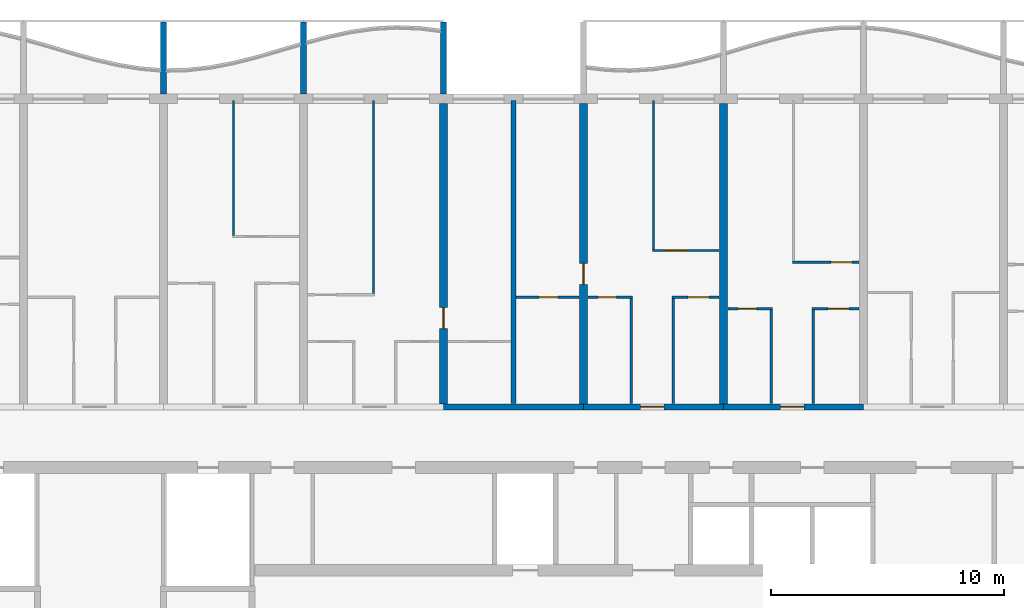
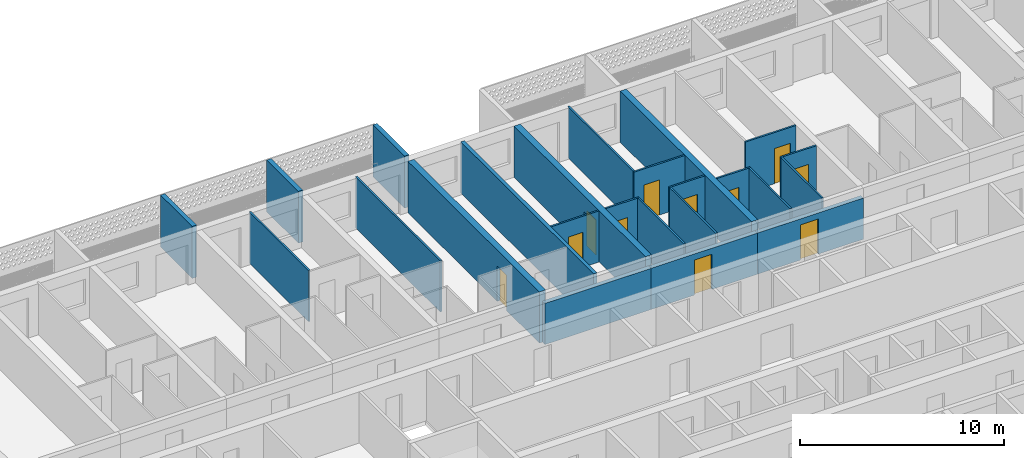
# One storey, part 10 of 24: 24 walls, 11 doors, 11 openings.
"""IFC4 building model written with IfcOpenShell, lengths in metres."""

from ifc_helpers import new_model, si_unit, direction, frame, frame_2d, origin, place, context, subcontext, project, spatial, polyline, rectangle, outline, extrude, source, transform, mapped, material, layer, layer_set, type_object, element, fill, save


model = new_model("IFC4")

# Units and contexts
model_context = context("Model", 3, precision=1e-05, world=origin(), true_north=direction((0.0, 1.0)))
body_context = subcontext(model_context, "Body", "Model", "MODEL_VIEW")
ifc_project = project(units=[si_unit("LENGTHUNIT", "METRE"), si_unit("AREAUNIT", "SQUARE_METRE"), si_unit("VOLUMEUNIT", "CUBIC_METRE"), si_unit("PLANEANGLEUNIT", "RADIAN"), si_unit("MASSUNIT", "GRAM", prefix="KILO")], contexts=[model_context])

# Site, building, storey
site_placement = place(None, origin())
site = spatial("IfcSite", under=ifc_project, at=site_placement, CompositionType="ELEMENT")
building_placement = place(site_placement, origin())
building = spatial("IfcBuilding", under=site, at=building_placement, Name="Poui Terraces", CompositionType="ELEMENT")
storey_placement = place(building_placement, frame((0.0, 0.0, 109.199951171875)))
storey = spatial("IfcBuildingStorey", under=building, at=storey_placement, Name="L30", CompositionType="ELEMENT", Elevation=109.199951171875)

# Wall
ifc_material_1 = material(Name="Concrete 65 MPa", Category="concrete")
ifc_layer_1 = layer(ifc_material_1, 0.25)
ifc_layer_set_1 = layer_set([ifc_layer_1], Name="Concrete 65 MPa")
wall_type_1 = type_object("IfcWallType", Name="CORRIDOR WALL 250 65MPa", PredefinedType="SHEAR", material=ifc_layer_set_1)
wall_1_placement = place(storey_placement, frame((42.0, 30.39990234375, 0.0), z_axis=(0.0, 0.0, 1.0), x_axis=(1.0, 0.0, 0.0)))
element("IfcWall", 1, at=wall_1_placement, inside=storey, type_object=wall_type_1, Name="CORRIDOR WALL LINE E BAY 6", PredefinedType="SHEAR", context=body_context, shape_type="SweptSolid", body=[
    extrude(rectangle(XDim=6.0, YDim=0.25, at=frame_2d((3.0, 0.0))), origin(), (0.0, 0.0, 1.0), 2.4599609375),
])

# Wall, opening, door
wall_2_placement = place(storey_placement, frame((48.0, 30.39990234375, 0.0), z_axis=(0.0, 0.0, 1.0), x_axis=(1.0, 0.0, 0.0)))
wall_2 = element("IfcWall", 2, at=wall_2_placement, inside=storey, type_object=wall_type_1, Name="CORRIDOR WALL LINE E BAY 7", PredefinedType="SHEAR", context=body_context, shape_type="SweptSolid", body=[
    extrude(rectangle(XDim=6.0, YDim=0.25, at=frame_2d((3.0, 0.0))), origin(), (0.0, 0.0, 1.0), 2.4599609375),
])
opening_1_placement = place(wall_2_placement, frame((2.449951171875, 0.0, 0.0)))
opening_1 = element("IfcOpeningElement", 3, at=opening_1_placement, cuts=wall_2, Name="Opening FD30S", PredefinedType="OPENING", context=body_context, shape_type="SweptSolid", body=[
    extrude(rectangle(XDim=1.0, YDim=2.10009765625, at=frame_2d((0.5, 1.050048828125))), frame((0.0, 0.135009765625, 0.0), z_axis=(0.0, -1.0, 0.0), x_axis=(1.0, 0.0, 0.0)), (0.0, 0.0, 1.0), 0.27001953125),
])
ifc_material_2 = material(Name="Steel fire door", Category="steel")
door_type_1 = type_object("IfcDoorType", Name="FLAT ENTRANCE DOOR 1000 X 2100", OperationType="NOTDEFINED", PredefinedType="DOOR", material=ifc_material_2)
door_1_placement = place(opening_1_placement, origin())
door_1 = element("IfcDoor", 4, at=door_1_placement, inside=storey, type_object=door_type_1, Name="FLAT ENTRANCE DOOR 051", OperationType="SINGLE_SWING_LEFT", OverallHeight=2.10009765625, OverallWidth=1.0, PredefinedType="DOOR", context=body_context, shape_type="SweptSolid", body=[
    extrude(rectangle(XDim=1.0, YDim=2.10009765625, at=frame_2d((0.5, 1.050048828125))), frame((0.0, 0.02490234375, 0.0), z_axis=(0.0, -1.0, 0.0), x_axis=(1.0, 0.0, 0.0)), (0.0, 0.0, 1.0), 0.050048828125),
])
fill(opening_1, door_1)

wall_3_placement = place(storey_placement, frame((54.0, 30.39990234375, 0.0), z_axis=(0.0, 0.0, 1.0), x_axis=(1.0, 0.0, 0.0)))
wall_3 = element("IfcWall", 5, at=wall_3_placement, inside=storey, type_object=wall_type_1, Name="CORRIDOR WALL LINE E BAY 8", PredefinedType="SHEAR", context=body_context, shape_type="SweptSolid", body=[
    extrude(rectangle(XDim=6.0, YDim=0.25, at=frame_2d((3.0, 0.0))), origin(), (0.0, 0.0, 1.0), 2.4599609375),
])
opening_2_placement = place(wall_3_placement, frame((2.449951171875, 0.0, 0.0)))
opening_2 = element("IfcOpeningElement", 6, at=opening_2_placement, cuts=wall_3, Name="Opening FD30S", PredefinedType="OPENING", context=body_context, shape_type="SweptSolid", body=[
    extrude(rectangle(XDim=1.0, YDim=2.10009765625, at=frame_2d((0.5, 1.050048828125))), frame((0.0, 0.135009765625, 0.0), z_axis=(0.0, -1.0, 0.0), x_axis=(1.0, 0.0, 0.0)), (0.0, 0.0, 1.0), 0.27001953125),
])
door_2_placement = place(opening_2_placement, origin())
door_2 = element("IfcDoor", 7, at=door_2_placement, inside=storey, type_object=door_type_1, Name="FLAT ENTRANCE DOOR 055", OperationType="SINGLE_SWING_LEFT", OverallHeight=2.10009765625, OverallWidth=1.0, PredefinedType="DOOR", context=body_context, shape_type="SweptSolid", body=[
    extrude(rectangle(XDim=1.0, YDim=2.10009765625, at=frame_2d((0.5, 1.050048828125))), frame((0.0, 0.02490234375, 0.0), z_axis=(0.0, -1.0, 0.0), x_axis=(1.0, 0.0, 0.0)), (0.0, 0.0, 1.0), 0.050048828125),
])
fill(opening_2, door_2)

ifc_layer_2 = layer(ifc_material_1, 0.35009765625)
ifc_layer_set_2 = layer_set([ifc_layer_2], Name="Concrete 65 MPa")
wall_type_2 = type_object("IfcWallType", Name="CROSS WALL 350 65MPa", PredefinedType="SHEAR", material=ifc_layer_set_2)
wall_4_placement = place(storey_placement, frame((42.0, 30.52490234375, 0.0), z_axis=(0.0, 0.0, 1.0), x_axis=(0.0, 1.0, 0.0)))
wall_4 = element("IfcWall", 8, at=wall_4_placement, inside=storey, type_object=wall_type_2, Name="CROSS WALL LINE 8 NORTH", PredefinedType="SHEAR", context=body_context, shape_type="SweptSolid", body=[
    extrude(rectangle(XDim=12.875, YDim=0.35009765625, at=frame_2d((6.4375, 0.0))), origin(), (0.0, 0.0, 1.0), 3.06005859375),
])
opening_3_placement = place(wall_4_placement, frame((3.22509765625, 0.0, 0.0)))
opening_3 = element("IfcOpeningElement", 9, at=opening_3_placement, cuts=wall_4, Name="Opening D90", PredefinedType="OPENING", context=body_context, shape_type="SweptSolid", body=[
    extrude(rectangle(XDim=0.89990234375, YDim=2.10009765625, at=frame_2d((0.449951171875, 1.050048828125))), frame((0.0, 0.18505859375, 0.0), z_axis=(0.0, -1.0, 0.0), x_axis=(1.0, 0.0, 0.0)), (0.0, 0.0, 1.0), 0.3701171875),
])
ifc_material_3 = material(Name="Solid core timber door", Category="wood")
door_type_2 = type_object("IfcDoorType", Name="INTERNAL DOOR 900 X 2100", OperationType="NOTDEFINED", PredefinedType="DOOR", material=ifc_material_3)
door_3_placement = place(opening_3_placement, frame((0.89990234375, 0.0, 0.0), z_axis=(0.0, 0.0, 1.0), x_axis=(-1.0, 0.0, 0.0)))
door_3 = element("IfcDoor", 10, at=door_3_placement, inside=storey, type_object=door_type_2, Name="INTERNAL DOOR 047", OperationType="SINGLE_SWING_RIGHT", OverallHeight=2.10009765625, OverallWidth=0.89990234375, PredefinedType="DOOR", context=body_context, shape_type="SweptSolid", body=[
    extrude(rectangle(XDim=0.89990234375, YDim=2.10009765625, at=frame_2d((0.449951171875, 1.050048828125))), frame((0.0, 0.02490234375, 0.0), z_axis=(0.0, -1.0, 0.0), x_axis=(1.0, 0.0, 0.0)), (0.0, 0.0, 1.0), 0.050048828125),
])
fill(opening_3, door_3)

wall_5_placement = place(storey_placement, frame((48.0, 30.52490234375, 0.0), z_axis=(0.0, 0.0, 1.0), x_axis=(0.0, 1.0, 0.0)))
wall_5 = element("IfcWall", 11, at=wall_5_placement, inside=storey, type_object=wall_type_2, Name="CROSS WALL LINE 9 NORTH", PredefinedType="SHEAR", context=body_context, shape_type="SweptSolid", body=[
    extrude(rectangle(XDim=12.875, YDim=0.35009765625, at=frame_2d((6.4375, 0.0))), origin(), (0.0, 0.0, 1.0), 3.06005859375),
])
opening_4_placement = place(wall_5_placement, frame((5.125, 0.0, 0.0)))
opening_4 = element("IfcOpeningElement", 12, at=opening_4_placement, cuts=wall_5, Name="Opening D90", PredefinedType="OPENING", context=body_context, shape_type="SweptSolid", body=[
    extrude(rectangle(XDim=0.89990234375, YDim=2.10009765625, at=frame_2d((0.449951171875, 1.050048828125))), frame((0.0, 0.18505859375, 0.0), z_axis=(0.0, -1.0, 0.0), x_axis=(1.0, 0.0, 0.0)), (0.0, 0.0, 1.0), 0.3701171875),
])
door_4_placement = place(opening_4_placement, origin())
door_4 = element("IfcDoor", 13, at=door_4_placement, inside=storey, type_object=door_type_2, Name="INTERNAL DOOR 049", OperationType="SINGLE_SWING_LEFT", OverallHeight=2.10009765625, OverallWidth=0.89990234375, PredefinedType="DOOR", context=body_context, shape_type="SweptSolid", body=[
    extrude(rectangle(XDim=0.89990234375, YDim=2.10009765625, at=frame_2d((0.449951171875, 1.050048828125))), frame((0.0, 0.02490234375, 0.0), z_axis=(0.0, -1.0, 0.0), x_axis=(1.0, 0.0, 0.0)), (0.0, 0.0, 1.0), 0.050048828125),
])
fill(opening_4, door_4)

# Wall
wall_6_placement = place(storey_placement, frame((54.0, 30.52490234375, 0.0), z_axis=(0.0, 0.0, 1.0), x_axis=(0.0, 1.0, 0.0)))
element("IfcWall", 14, at=wall_6_placement, inside=storey, type_object=wall_type_2, Name="CROSS WALL LINE 10 NORTH", PredefinedType="SHEAR", context=body_context, shape_type="SweptSolid", body=[
    extrude(rectangle(XDim=12.875, YDim=0.35009765625, at=frame_2d((6.4375, 0.0))), origin(), (0.0, 0.0, 1.0), 3.06005859375),
])

# Wall, opening, door
ifc_material_4 = material(Name="Plasterboard partition")
ifc_layer_3 = layer(ifc_material_4, 0.10009765625)
ifc_layer_set_3 = layer_set([ifc_layer_3], Name="Plasterboard partition")
wall_type_3 = type_object("IfcWallType", Name="FLAT PARTITION 100", PredefinedType="PARTITIONING", material=ifc_layer_set_3)
wall_7_placement = place(storey_placement, frame((54.18505859375, 34.60009765625, 0.0), z_axis=(0.0, 0.0, 1.0), x_axis=(1.0, 0.0, 0.0)))
wall_7 = element("IfcWall", 15, at=wall_7_placement, inside=storey, type_object=wall_type_3, Name="FLAT PARTITION 100", PredefinedType="PARTITIONING", context=body_context, shape_type="SweptSolid", body=[
    extrude(rectangle(XDim=1.9150390625, YDim=0.10009765625, at=frame_2d((0.95751953125, 0.0))), origin(), (0.0, 0.0, 1.0), 3.06005859375),
])
opening_5_placement = place(wall_7_placement, frame((0.43994140625, 0.0, 0.0)))
opening_5 = element("IfcOpeningElement", 16, at=opening_5_placement, cuts=wall_7, Name="Opening D80", PredefinedType="OPENING", context=body_context, shape_type="SweptSolid", body=[
    extrude(rectangle(XDim=0.800048828125, YDim=2.10009765625, at=frame_2d((0.39990234375, 1.050048828125))), frame((0.0, 0.06005859375, 0.0), z_axis=(0.0, -1.0, 0.0), x_axis=(1.0, 0.0, 0.0)), (0.0, 0.0, 1.0), 0.1201171875),
])
door_type_3 = type_object("IfcDoorType", Name="BATHROOM, LAUNDRY AND STORE DOOR 800 X 2100", OperationType="NOTDEFINED", PredefinedType="DOOR", material=ifc_material_3)
door_5_placement = place(opening_5_placement, frame((0.800048828125, 0.0, 0.0), z_axis=(0.0, 0.0, 1.0), x_axis=(-1.0, 0.0, 0.0)))
door_5 = element("IfcDoor", 17, at=door_5_placement, inside=storey, type_object=door_type_3, Name="BATHROOM, LAUNDRY AND STORE DOOR 054", OperationType="SINGLE_SWING_RIGHT", OverallHeight=2.10009765625, OverallWidth=0.800048828125, PredefinedType="DOOR", context=body_context, shape_type="SweptSolid", body=[
    extrude(rectangle(XDim=0.800048828125, YDim=2.10009765625, at=frame_2d((0.39990234375, 1.050048828125))), frame((0.0, 0.02490234375, 0.0), z_axis=(0.0, -1.0, 0.0), x_axis=(1.0, 0.0, 0.0)), (0.0, 0.0, 1.0), 0.050048828125),
])
fill(opening_5, door_5)

wall_8_placement = place(storey_placement, frame((57.800048828125, 34.60009765625, 0.0), z_axis=(0.0, 0.0, 1.0), x_axis=(1.0, 0.0, 0.0)))
wall_8 = element("IfcWall", 18, at=wall_8_placement, inside=storey, type_object=wall_type_3, Name="FLAT PARTITION 100", PredefinedType="PARTITIONING", context=body_context, shape_type="SweptSolid", body=[
    extrude(rectangle(XDim=2.014892578125, YDim=0.10009765625, at=frame_2d((1.00732421875, 0.0))), origin(), (0.0, 0.0, 1.0), 3.06005859375),
])
opening_6_placement = place(wall_8_placement, frame((0.675048828125, 0.0, 0.0)))
opening_6 = element("IfcOpeningElement", 19, at=opening_6_placement, cuts=wall_8, Name="Opening D90", PredefinedType="OPENING", context=body_context, shape_type="SweptSolid", body=[
    extrude(rectangle(XDim=0.89990234375, YDim=2.10009765625, at=frame_2d((0.449951171875, 1.050048828125))), frame((0.0, 0.06005859375, 0.0), z_axis=(0.0, -1.0, 0.0), x_axis=(1.0, 0.0, 0.0)), (0.0, 0.0, 1.0), 0.1201171875),
])
door_6_placement = place(opening_6_placement, frame((0.89990234375, 0.0, 0.0), z_axis=(0.0, 0.0, 1.0), x_axis=(-1.0, 0.0, 0.0)))
door_6 = element("IfcDoor", 20, at=door_6_placement, inside=storey, type_object=door_type_2, Name="INTERNAL DOOR 056", OperationType="SINGLE_SWING_LEFT", OverallHeight=2.10009765625, OverallWidth=0.89990234375, PredefinedType="DOOR", context=body_context, shape_type="SweptSolid", body=[
    extrude(rectangle(XDim=0.89990234375, YDim=2.10009765625, at=frame_2d((0.449951171875, 1.050048828125))), frame((0.0, 0.02490234375, 0.0), z_axis=(0.0, -1.0, 0.0), x_axis=(1.0, 0.0, 0.0)), (0.0, 0.0, 1.0), 0.050048828125),
])
fill(opening_6, door_6)

wall_9_placement = place(storey_placement, frame((45.10009765625, 35.10009765625, 0.0), z_axis=(0.0, 0.0, 1.0), x_axis=(1.0, 0.0, 0.0)))
wall_9 = element("IfcWall", 21, at=wall_9_placement, inside=storey, type_object=wall_type_3, Name="FLAT PARTITION 100", PredefinedType="PARTITIONING", context=body_context, shape_type="SweptSolid", body=[
    extrude(rectangle(XDim=2.71484375, YDim=0.10009765625, at=frame_2d((1.357421875, 0.0))), origin(), (0.0, 0.0, 1.0), 3.06005859375),
])
opening_7_placement = place(wall_9_placement, frame((1.0, 0.0, 0.0)))
opening_7 = element("IfcOpeningElement", 22, at=opening_7_placement, cuts=wall_9, Name="Opening D80", PredefinedType="OPENING", context=body_context, shape_type="SweptSolid", body=[
    extrude(rectangle(XDim=0.800048828125, YDim=2.10009765625, at=frame_2d((0.39990234375, 1.050048828125))), frame((0.0, 0.06005859375, 0.0), z_axis=(0.0, -1.0, 0.0), x_axis=(1.0, 0.0, 0.0)), (0.0, 0.0, 1.0), 0.1201171875),
])
door_7_placement = place(opening_7_placement, frame((0.800048828125, 0.0, 0.0), z_axis=(0.0, 0.0, 1.0), x_axis=(-1.0, 0.0, 0.0)))
door_7 = element("IfcDoor", 23, at=door_7_placement, inside=storey, type_object=door_type_3, Name="BATHROOM, LAUNDRY AND STORE DOOR 048", OperationType="SINGLE_SWING_LEFT", OverallHeight=2.10009765625, OverallWidth=0.800048828125, PredefinedType="DOOR", context=body_context, shape_type="SweptSolid", body=[
    extrude(rectangle(XDim=0.800048828125, YDim=2.10009765625, at=frame_2d((0.39990234375, 1.050048828125))), frame((0.0, 0.02490234375, 0.0), z_axis=(0.0, -1.0, 0.0), x_axis=(1.0, 0.0, 0.0)), (0.0, 0.0, 1.0), 0.050048828125),
])
fill(opening_7, door_7)

wall_10_placement = place(storey_placement, frame((48.18505859375, 35.10009765625, 0.0), z_axis=(0.0, 0.0, 1.0), x_axis=(1.0, 0.0, 0.0)))
wall_10 = element("IfcWall", 24, at=wall_10_placement, inside=storey, type_object=wall_type_3, Name="FLAT PARTITION 100", PredefinedType="PARTITIONING", context=body_context, shape_type="SweptSolid", body=[
    extrude(rectangle(XDim=1.9150390625, YDim=0.10009765625, at=frame_2d((0.95751953125, 0.0))), origin(), (0.0, 0.0, 1.0), 3.06005859375),
])
opening_8_placement = place(wall_10_placement, frame((0.43994140625, 0.0, 0.0)))
opening_8 = element("IfcOpeningElement", 25, at=opening_8_placement, cuts=wall_10, Name="Opening D80", PredefinedType="OPENING", context=body_context, shape_type="SweptSolid", body=[
    extrude(rectangle(XDim=0.800048828125, YDim=2.10009765625, at=frame_2d((0.39990234375, 1.050048828125))), frame((0.0, 0.06005859375, 0.0), z_axis=(0.0, -1.0, 0.0), x_axis=(1.0, 0.0, 0.0)), (0.0, 0.0, 1.0), 0.1201171875),
])
door_8_placement = place(opening_8_placement, frame((0.800048828125, 0.0, 0.0), z_axis=(0.0, 0.0, 1.0), x_axis=(-1.0, 0.0, 0.0)))
door_8 = element("IfcDoor", 26, at=door_8_placement, inside=storey, type_object=door_type_3, Name="BATHROOM, LAUNDRY AND STORE DOOR 050", OperationType="SINGLE_SWING_LEFT", OverallHeight=2.10009765625, OverallWidth=0.800048828125, PredefinedType="DOOR", context=body_context, shape_type="SweptSolid", body=[
    extrude(rectangle(XDim=0.800048828125, YDim=2.10009765625, at=frame_2d((0.39990234375, 1.050048828125))), frame((0.0, 0.02490234375, 0.0), z_axis=(0.0, -1.0, 0.0), x_axis=(1.0, 0.0, 0.0)), (0.0, 0.0, 1.0), 0.050048828125),
])
fill(opening_8, door_8)

wall_11_placement = place(storey_placement, frame((51.800048828125, 35.10009765625, 0.0), z_axis=(0.0, 0.0, 1.0), x_axis=(1.0, 0.0, 0.0)))
wall_11 = element("IfcWall", 27, at=wall_11_placement, inside=storey, type_object=wall_type_3, Name="FLAT PARTITION 100", PredefinedType="PARTITIONING", context=body_context, shape_type="SweptSolid", body=[
    extrude(rectangle(XDim=2.014892578125, YDim=0.10009765625, at=frame_2d((1.00732421875, 0.0))), origin(), (0.0, 0.0, 1.0), 3.06005859375),
])
opening_9_placement = place(wall_11_placement, frame((0.675048828125, 0.0, 0.0)))
opening_9 = element("IfcOpeningElement", 28, at=opening_9_placement, cuts=wall_11, Name="Opening D90", PredefinedType="OPENING", context=body_context, shape_type="SweptSolid", body=[
    extrude(rectangle(XDim=0.89990234375, YDim=2.10009765625, at=frame_2d((0.449951171875, 1.050048828125))), frame((0.0, 0.06005859375, 0.0), z_axis=(0.0, -1.0, 0.0), x_axis=(1.0, 0.0, 0.0)), (0.0, 0.0, 1.0), 0.1201171875),
])
door_9_placement = place(opening_9_placement, frame((0.89990234375, 0.0, 0.0), z_axis=(0.0, 0.0, 1.0), x_axis=(-1.0, 0.0, 0.0)))
door_9 = element("IfcDoor", 29, at=door_9_placement, inside=storey, type_object=door_type_2, Name="INTERNAL DOOR 053", OperationType="SINGLE_SWING_RIGHT", OverallHeight=2.10009765625, OverallWidth=0.89990234375, PredefinedType="DOOR", context=body_context, shape_type="SweptSolid", body=[
    extrude(rectangle(XDim=0.89990234375, YDim=2.10009765625, at=frame_2d((0.449951171875, 1.050048828125))), frame((0.0, 0.02490234375, 0.0), z_axis=(0.0, -1.0, 0.0), x_axis=(1.0, 0.0, 0.0)), (0.0, 0.0, 1.0), 0.050048828125),
])
fill(opening_9, door_9)

wall_12_placement = place(storey_placement, frame((56.949951171875, 36.60009765625, 0.0), z_axis=(0.0, 0.0, 1.0), x_axis=(1.0, 0.0, 0.0)))
wall_12 = element("IfcWall", 30, at=wall_12_placement, inside=storey, type_object=wall_type_3, Name="FLAT PARTITION 100", PredefinedType="PARTITIONING", context=body_context, shape_type="SweptSolid", body=[
    extrude(rectangle(XDim=2.864990234375, YDim=0.10009765625, at=frame_2d((1.4326171875, 0.0))), origin(), (0.0, 0.0, 1.0), 3.06005859375),
])
opening_10_placement = place(wall_12_placement, frame((1.64990234375, 0.0, 0.0)))
opening_10 = element("IfcOpeningElement", 31, at=opening_10_placement, cuts=wall_12, Name="Opening D90", PredefinedType="OPENING", context=body_context, shape_type="SweptSolid", body=[
    extrude(rectangle(XDim=0.89990234375, YDim=2.10009765625, at=frame_2d((0.449951171875, 1.050048828125))), frame((0.0, 0.06005859375, 0.0), z_axis=(0.0, -1.0, 0.0), x_axis=(1.0, 0.0, 0.0)), (0.0, 0.0, 1.0), 0.1201171875),
])
door_10_placement = place(opening_10_placement, frame((0.89990234375, 0.0, 0.0), z_axis=(0.0, 0.0, 1.0), x_axis=(-1.0, 0.0, 0.0)))
door_10 = element("IfcDoor", 32, at=door_10_placement, inside=storey, type_object=door_type_2, Name="INTERNAL DOOR 057", OperationType="SINGLE_SWING_RIGHT", OverallHeight=2.10009765625, OverallWidth=0.89990234375, PredefinedType="DOOR", context=body_context, shape_type="SweptSolid", body=[
    extrude(rectangle(XDim=0.89990234375, YDim=2.10009765625, at=frame_2d((0.449951171875, 1.050048828125))), frame((0.0, 0.02490234375, 0.0), z_axis=(0.0, -1.0, 0.0), x_axis=(1.0, 0.0, 0.0)), (0.0, 0.0, 1.0), 0.050048828125),
])
fill(opening_10, door_10)

wall_13_placement = place(storey_placement, frame((50.949951171875, 37.10009765625, 0.0), z_axis=(0.0, 0.0, 1.0), x_axis=(1.0, 0.0, 0.0)))
wall_13 = element("IfcWall", 33, at=wall_13_placement, inside=storey, type_object=wall_type_3, Name="FLAT PARTITION 100", PredefinedType="PARTITIONING", context=body_context, shape_type="SweptSolid", body=[
    extrude(rectangle(XDim=2.864990234375, YDim=0.10009765625, at=frame_2d((1.4326171875, 0.0))), origin(), (0.0, 0.0, 1.0), 3.06005859375),
])
opening_11_placement = place(wall_13_placement, frame((0.550048828125, 0.0, 0.0)))
opening_11 = element("IfcOpeningElement", 34, at=opening_11_placement, cuts=wall_13, Name="Opening D90", PredefinedType="OPENING", context=body_context, shape_type="SweptSolid", body=[
    extrude(rectangle(XDim=0.89990234375, YDim=2.10009765625, at=frame_2d((0.449951171875, 1.050048828125))), frame((0.0, 0.06005859375, 0.0), z_axis=(0.0, -1.0, 0.0), x_axis=(1.0, 0.0, 0.0)), (0.0, 0.0, 1.0), 0.1201171875),
])
door_11_placement = place(opening_11_placement, frame((0.89990234375, 0.0, 0.0), z_axis=(0.0, 0.0, 1.0), x_axis=(-1.0, 0.0, 0.0)))
door_11 = element("IfcDoor", 35, at=door_11_placement, inside=storey, type_object=door_type_2, Name="INTERNAL DOOR 052", OperationType="SINGLE_SWING_LEFT", OverallHeight=2.10009765625, OverallWidth=0.89990234375, PredefinedType="DOOR", context=body_context, shape_type="SweptSolid", body=[
    extrude(rectangle(XDim=0.89990234375, YDim=2.10009765625, at=frame_2d((0.449951171875, 1.050048828125))), frame((0.0, 0.02490234375, 0.0), z_axis=(0.0, -1.0, 0.0), x_axis=(1.0, 0.0, 0.0)), (0.0, 0.0, 1.0), 0.050048828125),
])
fill(opening_11, door_11)

# Walls
wall_14_placement = place(storey_placement, frame((33.0, 37.75, 0.0), z_axis=(0.0, 0.0, 1.0), x_axis=(0.0, 1.0, 0.0)))
element("IfcWall", 36, at=wall_14_placement, inside=storey, type_object=wall_type_3, Name="FLAT PARTITION 100", PredefinedType="PARTITIONING", context=body_context, shape_type="SweptSolid", body=[
    extrude(rectangle(XDim=5.7900390625, YDim=0.10009765625, at=frame_2d((2.89501953125, 0.0))), origin(), (0.0, 0.0, 1.0), 3.06005859375),
])
wall_15_placement = place(storey_placement, frame((39.0, 35.25, 0.0), z_axis=(0.0, 0.0, 1.0), x_axis=(0.0, 1.0, 0.0)))
element("IfcWall", 37, at=wall_15_placement, inside=storey, type_object=wall_type_3, Name="FLAT PARTITION 100", PredefinedType="PARTITIONING", context=body_context, shape_type="SweptSolid", body=[
    extrude(rectangle(XDim=8.2900390625, YDim=0.10009765625, at=frame_2d((4.14501953125, 0.0))), origin(), (0.0, 0.0, 1.0), 3.06005859375),
])
wall_16_placement = place(storey_placement, frame((50.050048828125, 30.534912109375, 0.0), z_axis=(0.0, 0.0, 1.0), x_axis=(0.0, 1.0, 0.0)))
element("IfcWall", 38, at=wall_16_placement, inside=storey, type_object=wall_type_3, Name="FLAT PARTITION 100", PredefinedType="PARTITIONING", context=body_context, shape_type="SweptSolid", body=[
    extrude(rectangle(XDim=4.51513671875, YDim=0.10009765625, at=frame_2d((2.257568359375, 0.0))), origin(), (0.0, 0.0, 1.0), 3.06005859375),
])
wall_17_placement = place(storey_placement, frame((51.0, 37.14990234375, 0.0), z_axis=(0.0, 0.0, 1.0), x_axis=(0.0, 1.0, 0.0)))
element("IfcWall", 39, at=wall_17_placement, inside=storey, type_object=wall_type_3, Name="FLAT PARTITION 100", PredefinedType="PARTITIONING", context=body_context, shape_type="SweptSolid", body=[
    extrude(rectangle(XDim=6.39013671875, YDim=0.10009765625, at=frame_2d((3.195068359375, 0.0))), origin(), (0.0, 0.0, 1.0), 3.06005859375),
])
wall_18_placement = place(storey_placement, frame((51.85009765625, 30.534912109375, 0.0), z_axis=(0.0, 0.0, 1.0), x_axis=(0.0, 1.0, 0.0)))
element("IfcWall", 40, at=wall_18_placement, inside=storey, type_object=wall_type_3, Name="FLAT PARTITION 100", PredefinedType="PARTITIONING", context=body_context, shape_type="SweptSolid", body=[
    extrude(rectangle(XDim=4.51513671875, YDim=0.10009765625, at=frame_2d((2.257568359375, 0.0))), origin(), (0.0, 0.0, 1.0), 3.06005859375),
])
for number, where, z_axis, x_axis, name in (
    (41, (56.050048828125, 30.534912109375, 0.0), (0.0, 0.0, 1.0), (0.0, 1.0, 0.0), "FLAT PARTITION 100"),
    (42, (57.85009765625, 30.534912109375, 0.0), (0.0, 0.0, 1.0), (0.0, 1.0, 0.0), "FLAT PARTITION 100"),
):
    element("IfcWall", number, at=place(storey_placement, frame(where, z_axis=z_axis, x_axis=x_axis)), inside=storey, type_object=wall_type_3, Name=name, PredefinedType="PARTITIONING", context=body_context, shape_type="SweptSolid", body=[
        extrude(rectangle(XDim=4.01513671875, YDim=0.10009765625, at=frame_2d((2.007568359375, 0.0))), origin(), (0.0, 0.0, 1.0), 3.06005859375),
    ])
ifc_material_5 = material(Name="Fire-rated masonry wall", Category="masonry")
ifc_layer_4 = layer(ifc_material_5, 0.199951171875)
ifc_layer_set_4 = layer_set([ifc_layer_4], Name="Fire-rated masonry wall")
wall_type_4 = type_object("IfcWallType", Name="FLAT PARTY WALL 200", PredefinedType="PARTITIONING", material=ifc_layer_set_4)
wall_19_placement = place(storey_placement, frame((45.0, 30.534912109375, 0.0), z_axis=(0.0, 0.0, 1.0), x_axis=(0.0, 1.0, 0.0)))
element("IfcWall", 43, at=wall_19_placement, inside=storey, type_object=wall_type_4, Name="FLAT PARTY WALL 200", PredefinedType="PARTITIONING", context=body_context, shape_type="SweptSolid", body=[
    extrude(rectangle(XDim=13.005126953125, YDim=0.199951171875, at=frame_2d((6.50244140625, 0.0))), origin(), (0.0, 0.0, 1.0), 3.06005859375),
])
ifc_material_6 = material(Name="Precast concrete 40 MPa", Category="concrete")
ifc_layer_5 = layer(ifc_material_6, 0.25)
ifc_layer_set_5 = layer_set([ifc_layer_5], Name="Precast concrete 40 MPa")
wall_type_5 = type_object("IfcWallType", Name="BALCONY FIN 250", PredefinedType="STANDARD", material=ifc_layer_set_5)
shared_shape = source(origin(), body_context, "Body", "SweptSolid", [
    extrude(outline(polyline([(0.0, 0.0), (0.25, 0.0), (0.25, 3.099853515625), (0.0, 3.099853515625), (0.0, 0.0)])), origin(), (0.0, 0.0, 1.0), 3.10009765625),
])
for number, where, name in (
    (44, (29.875, 43.800048828125, 0.0), "BALCONY FIN"),
    (45, (35.875, 43.800048828125, 0.0), "BALCONY FIN"),
    (46, (41.875, 43.800048828125, 0.0), "BALCONY FIN"),
):
    element("IfcWall", number, at=place(storey_placement, frame(where)), inside=storey, type_object=wall_type_5, Name=name, PredefinedType="STANDARD", context=body_context, shape_type="MappedRepresentation", body=[
        mapped(shared_shape, transform((0.0, 0.0, 0.0))),
    ])

save(model, "model.ifc")
